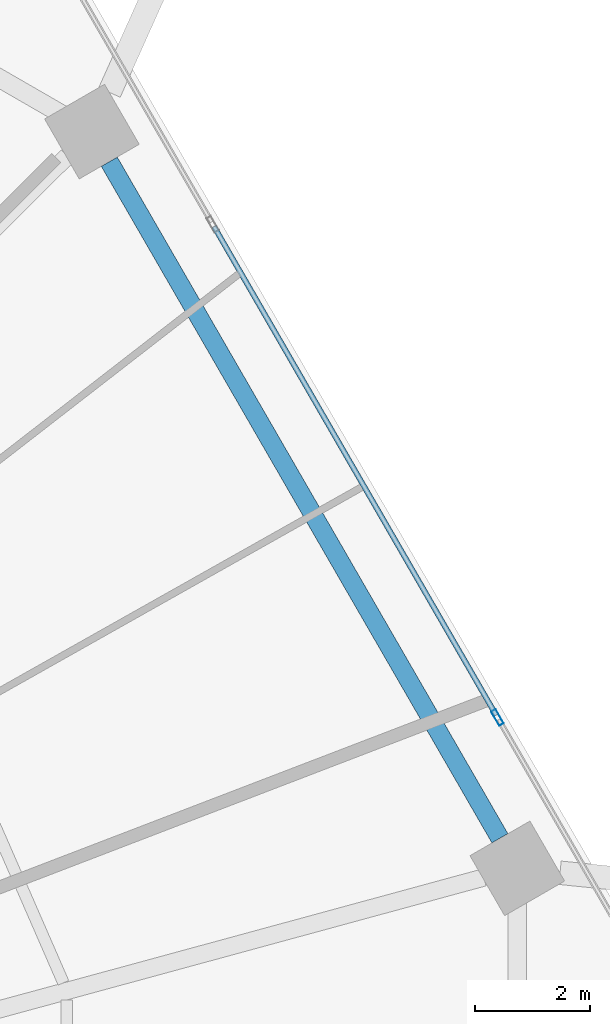
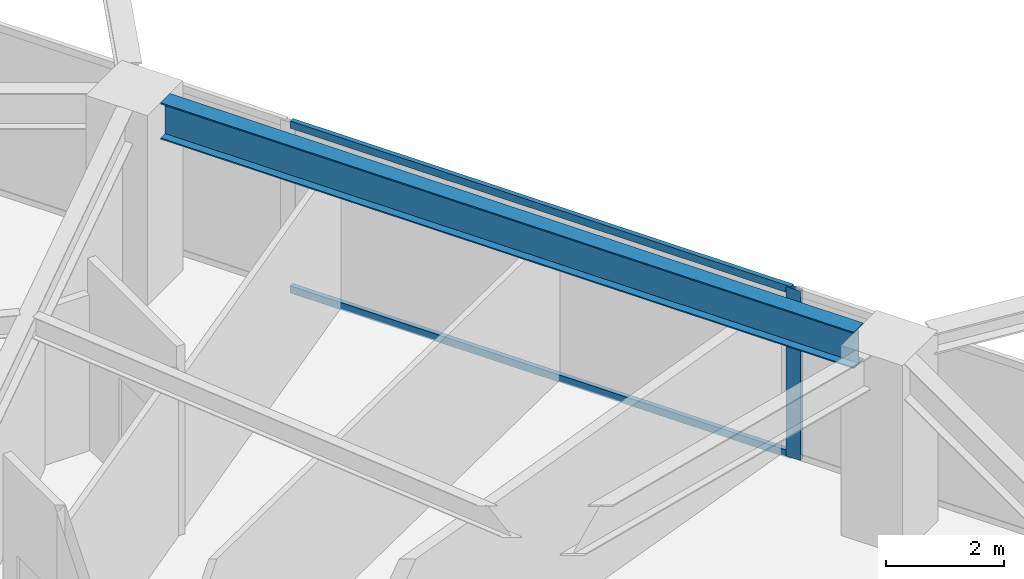
# One storey, part 17 of 25: 3 members, 1 beam, 1 element without a shape of its own.
"""IFC4 building model written with IfcOpenShell, lengths in metres."""

from ifc_helpers import new_model, si_unit, direction, frame, origin, origin_2d, place, context, subcontext, project, spatial, hollow_rectangle, i_section, extrude, material, material_profile, profile_set, type_object, element, aggregate, save


model = new_model("IFC4")

# Units and contexts
model_context = context("Model", 3, precision=1e-05, world=origin(), true_north=direction((0.0, 1.0)))
body_context = subcontext(model_context, "Body", "Model", "MODEL_VIEW")
ifc_project = project(units=[si_unit("LENGTHUNIT", "METRE"), si_unit("AREAUNIT", "SQUARE_METRE"), si_unit("VOLUMEUNIT", "CUBIC_METRE"), si_unit("PLANEANGLEUNIT", "RADIAN"), si_unit("MASSUNIT", "GRAM", prefix="KILO")], contexts=[model_context])

# Site, building, storey
site_placement = place(None, origin())
site = spatial("IfcSite", under=ifc_project, at=site_placement, CompositionType="ELEMENT")
building_placement = place(site_placement, origin())
building = spatial("IfcBuilding", under=site, at=building_placement, Name="Zuhravey Tower", CompositionType="ELEMENT")
storey_placement = place(building_placement, frame((0.0, 0.0, 20.39990234375)))
storey = spatial("IfcBuildingStorey", under=building, at=storey_placement, Name="L05", CompositionType="ELEMENT", Elevation=20.39990234375)

# Curtain wall, members
ifc_material_1 = material(Name="Thermally broken anodised aluminium", Category="aluminium")
curtain_wall_type = type_object("IfcCurtainWallType", Name="School Low-E Unitised Curtain Wall CW1", PredefinedType="NOTDEFINED", material=ifc_material_1)
curtain_wall_placement = place(storey_placement, origin())
curtain_wall = element("IfcCurtainWall", 1, at=curtain_wall_placement, inside=storey, type_object=curtain_wall_type, Name="L05 CW1 CW-L05-F1-1", PredefinedType="NOTDEFINED")
ifc_material_2 = material(Name="Anodised aluminium", Category="aluminium")
ifc_material_profile_1 = material_profile(ifc_material_2, hollow_rectangle(XDim=0.090087890625, YDim=0.284912109375, WallThickness=0.0048828125, at=origin_2d()), Name="ALU-RHS-90x285x5")
ifc_profile_set_1 = profile_set([ifc_material_profile_1], Name="Anodised aluminium")
member_type_1 = type_object("IfcMemberType", Name="Curtain-Wall Mullion 90x180", PredefinedType="MULLION", material=ifc_profile_set_1)
member_1_placement = place(storey_placement, frame((63.54541015625, 42.20703125, 0.0), z_axis=(0.0, 0.0, 1.0), x_axis=(0.86602552265, 0.499999794119, 0.0)))
member_1 = element("IfcMember", 2, at=member_1_placement, type_object=member_type_1, Name="CW1 mullion 3", PredefinedType="MULLION", context=body_context, shape_type="SweptSolid", body=[
    extrude(hollow_rectangle(XDim=0.090087890625, YDim=0.284912109375, WallThickness=0.0048828125, at=origin_2d()), origin(), (0.0, 0.0, 1.0), 3.4921875),
])
ifc_material_profile_2 = material_profile(ifc_material_2, hollow_rectangle(XDim=0.090087890625, YDim=0.14990234375, WallThickness=0.0048828125, at=origin_2d()), Name="ALU-RHS-90x150x5")
ifc_profile_set_2 = profile_set([ifc_material_profile_2], Name="Anodised aluminium")
member_type_2 = type_object("IfcMemberType", Name="Curtain-Wall Transom 90x150", PredefinedType="USERDEFINED", material=ifc_profile_set_2)
member_2_placement = place(storey_placement, frame((58.634765625, 50.712646484375, 0.045166015625), z_axis=(0.499990498062, -0.866030889661, 0.0), x_axis=(0.866030889661, 0.499990498062, 0.0)))
member_2 = element("IfcMember", 3, at=member_2_placement, type_object=member_type_2, Name="CW1 transom 2.1", ObjectType="TRANSOM", PredefinedType="USERDEFINED", context=body_context, shape_type="SweptSolid", body=[
    extrude(hollow_rectangle(XDim=0.090087890625, YDim=0.14990234375, WallThickness=0.0048828125, at=origin_2d()), origin(), (0.0, 0.0, 1.0), 9.776611328125),
])
member_3_placement = place(storey_placement, frame((58.634765625, 50.712646484375, 3.447021484375), z_axis=(0.499990498062, -0.866030889661, 0.0), x_axis=(0.866030889661, 0.499990498062, 0.0)))
member_3 = element("IfcMember", 4, at=member_3_placement, type_object=member_type_2, Name="CW1 transom 2.2", ObjectType="TRANSOM", PredefinedType="USERDEFINED", context=body_context, shape_type="SweptSolid", body=[
    extrude(hollow_rectangle(XDim=0.090087890625, YDim=0.14990234375, WallThickness=0.0048828125, at=origin_2d()), origin(), (0.0, 0.0, 1.0), 9.776611328125),
])
aggregate(curtain_wall, [member_1, member_2, member_3])

# Beam
ifc_material_3 = material(Name="Steel SM355", Category="steel")
ifc_material_profile_3 = material_profile(ifc_material_3, i_section(OverallWidth=0.320068359375, OverallDepth=0.75, WebThickness=0.013916015625, FlangeThickness=0.02490234375, at=origin_2d()), Name="H-750x320x14x25")
ifc_profile_set_3 = profile_set([ifc_material_profile_3], Name="Steel SM355")
beam_type = type_object("IfcBeamType", Name="Perimeter Ring Beam H750x320", PredefinedType="BEAM", material=ifc_profile_set_3)
beam_placement = place(storey_placement, frame((63.587646484375, 40.11376953125, 3.545166015625), z_axis=(-0.499999877243, 0.866025474658, 0.0), x_axis=(-0.866025474658, -0.499999877243, 0.0)))
element("IfcBeam", 5, at=beam_placement, inside=storey, type_object=beam_type, Name="L05 PB1 BM-L05-PB-01", PredefinedType="BEAM", context=body_context, shape_type="SweptSolid", body=[
    extrude(i_section(OverallWidth=0.320068359375, OverallDepth=0.75, WebThickness=0.013916015625, FlangeThickness=0.02490234375, at=origin_2d()), origin(), (0.0, 0.0, 1.0), 13.5341796875),
])

save(model, "model.ifc")
